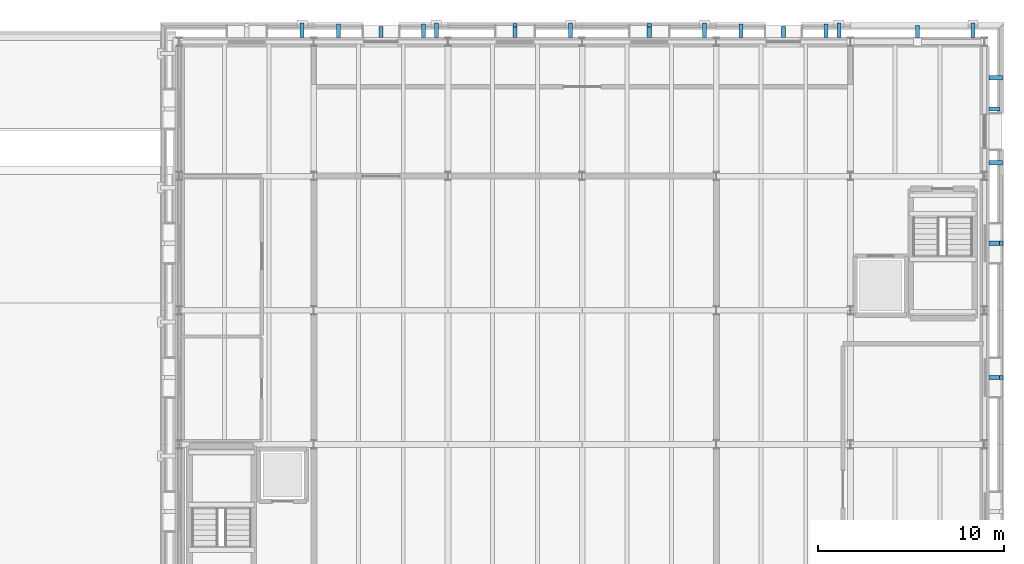
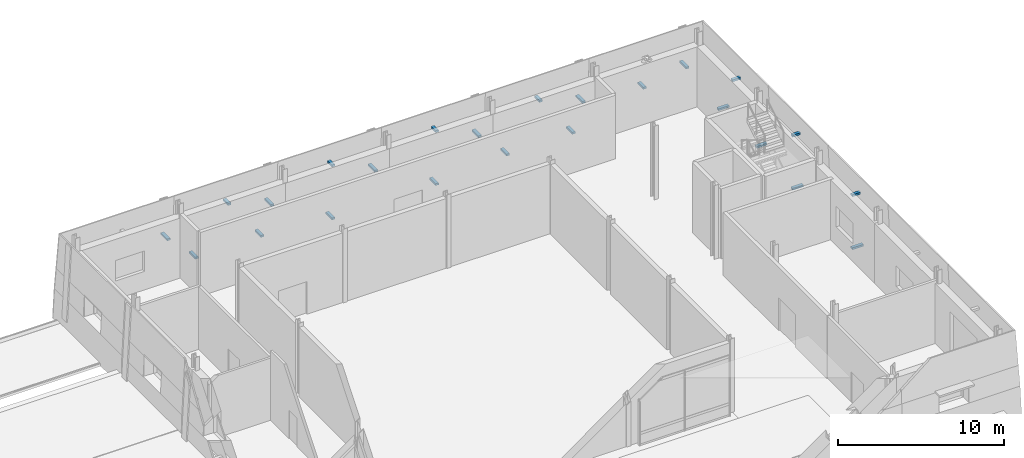
# One storey, part 97 of 120: 24 discrete accessories.
"""IFC4 building model written with IfcOpenShell, lengths in metres."""

import ifcopenshell
import ifcopenshell.guid

model = None  # the IFC model being written
_history = None  # IfcOwnerHistory: only IFC2X3 demands one
_inside = {}  # id of a spatial element -> (the spatial element, [elements in it])
_under = {}  # id of a project, library or spatial element -> (it, [spatial elements below it])
_declared = {}  # id of a project -> (the project, [libraries it declares])
_typed = {}  # id of a type object -> (the type object, [elements of that type])
_made_of = {}  # id of a material, layer set ... -> (it, [elements and type objects made of it])


def new_model(schema):
    """Start an empty IFC model of exactly this schema.

    Asked for "IFC4X3", IfcOpenShell would pick the latest addendum, in which some entities
    have other attributes; the version numbers below select the first issue.
    IFC2X3 requires an IfcOwnerHistory on every rooted entity: one is made here for all.
    """
    global model, _history
    if schema == "IFC4X3":
        model = ifcopenshell.file(schema_version=(4, 3, 0, 0))
    else:
        model = ifcopenshell.file(schema=schema)
    _inside.clear()
    _under.clear()
    _declared.clear()
    _typed.clear()
    _made_of.clear()
    _history = None
    if model.schema == "IFC2X3":
        org = make("IfcOrganization", Name="unknown")
        user = make(
            "IfcPersonAndOrganization",
            ThePerson=make("IfcPerson", FamilyName="unknown"),
            TheOrganization=org,
        )
        app = make(
            "IfcApplication",
            ApplicationDeveloper=org,
            Version="unknown",
            ApplicationFullName="unknown",
            ApplicationIdentifier="unknown",
        )
        _history = make(
            "IfcOwnerHistory",
            OwningUser=user,
            OwningApplication=app,
            ChangeAction="ADDED",
            CreationDate=0,
        )
    return model


def make(cls, **values):
    """One entity of the class cls with the attributes given. An attribute that is None is left unset."""
    return model.create_entity(
        cls, **{name: value for name, value in values.items() if value is not None}
    )


def rooted(cls, **values):
    """An entity with a GlobalId (a new one), such as an element, a storey or a relation."""
    return make(cls, GlobalId=ifcopenshell.guid.new(), OwnerHistory=_history, **values)


def si_unit(unit_type, name, prefix=None):
    """IfcSIUnit, for example si_unit("LENGTHUNIT", "METRE", prefix="MILLI")."""
    return make("IfcSIUnit", UnitType=unit_type, Prefix=prefix, Name=name)


def assignment(units):
    """IfcUnitAssignment: the units of a project."""
    return None if units is None else make("IfcUnitAssignment", Units=units)


def point(xyz):
    """IfcCartesianPoint."""
    return None if xyz is None else make("IfcCartesianPoint", Coordinates=xyz)


def direction(xyz):
    """IfcDirection."""
    return None if xyz is None else make("IfcDirection", DirectionRatios=xyz)


def frame(location, z_axis=None, x_axis=None):
    """IfcAxis2Placement3D, a coordinate frame: its origin and axes. An axis left out is left unset."""
    return make(
        "IfcAxis2Placement3D",
        Location=point(location),
        Axis=direction(z_axis),
        RefDirection=direction(x_axis),
    )


def frame_2d(location, x_axis=None):
    """IfcAxis2Placement2D, a coordinate frame in the plane: its origin and x axis."""
    return make(
        "IfcAxis2Placement2D", Location=point(location), RefDirection=direction(x_axis)
    )


def origin():
    """The frame at (0, 0, 0) with its axes left unset."""
    return frame((0.0, 0.0, 0.0))


def origin_2d():
    """The frame at (0, 0) in the plane with its x axis left unset."""
    return frame_2d((0.0, 0.0))


def place(relative_to, where):
    """IfcLocalPlacement: puts the frame where relative to a parent placement (None: the world)."""
    return make(
        "IfcLocalPlacement", PlacementRelTo=relative_to, RelativePlacement=where
    )


def context(
    kind, dimensions, precision=None, world=None, true_north=None, identifier=None
):
    """IfcGeometricRepresentationContext, for example the 3D "Model" context."""
    return make(
        "IfcGeometricRepresentationContext",
        ContextIdentifier=identifier,
        ContextType=kind,
        CoordinateSpaceDimension=dimensions,
        Precision=precision,
        WorldCoordinateSystem=world,
        TrueNorth=true_north,
    )


def subcontext(parent, identifier, kind, view, scale=None):
    """IfcGeometricRepresentationSubContext, for example "Body" below "Model"."""
    return make(
        "IfcGeometricRepresentationSubContext",
        ContextIdentifier=identifier,
        ContextType=kind,
        ParentContext=parent,
        TargetScale=scale,
        TargetView=view,
    )


def project(units=None, contexts=None):
    """IfcProject with its units and contexts."""
    return rooted(
        "IfcProject",
        Name="project",
        RepresentationContexts=contexts,
        UnitsInContext=assignment(units),
    )


def spatial(cls, under=None, at=None, **own):
    """A site, building, storey or space (cls), placed at a placement, below another one or the project."""
    s = rooted(cls, ObjectPlacement=at, **own)
    if under is not None:
        _under.setdefault(under.id(), (under, []))[1].append(s)
    return s


def profile(cls, at=None, kind="AREA", **sizes):
    """A parametric profile (cls). Its sizes go by their IFC names, for example OverallWidth=200.0."""
    return make(cls, ProfileType=kind, Position=at, **sizes)


def rectangle(**sizes):
    """IfcRectangleProfileDef."""
    return profile("IfcRectangleProfileDef", **sizes)


def extrude(swept, where, along, depth):
    """IfcExtrudedAreaSolid: the profile swept, set in the frame where, extruded along a direction by depth."""
    return make(
        "IfcExtrudedAreaSolid",
        SweptArea=swept,
        Position=where,
        ExtrudedDirection=direction(along),
        Depth=depth,
    )


def shape(context_of_items, identifier, shape_type, items):
    """IfcShapeRepresentation: the items that make up one representation, for example the "Body"."""
    return make(
        "IfcShapeRepresentation",
        ContextOfItems=context_of_items,
        RepresentationIdentifier=identifier,
        RepresentationType=shape_type,
        Items=items,
    )


def material(Name=None, Category=None):
    """IfcMaterial."""
    return make("IfcMaterial", Name=Name, Category=Category)


def layer(
    of_material, thickness, ventilated=None, Name=None, Category=None, Priority=None
):
    """IfcMaterialLayer: one layer of a wall or slab, of a material (None: an air gap)."""
    return make(
        "IfcMaterialLayer",
        Material=of_material,
        LayerThickness=thickness,
        IsVentilated=ventilated,
        Name=Name,
        Category=Category,
        Priority=Priority,
    )


def layer_set(layers, Name=None):
    """IfcMaterialLayerSet."""
    return make("IfcMaterialLayerSet", MaterialLayers=layers, LayerSetName=Name)


def made_of(thing, what):
    """Note that an element or type object is made of a material, layer set ...; save() writes the relation."""
    if what is not None:
        _made_of.setdefault(what.id(), (what, []))[1].append(thing)
    return thing


def type_object(cls, material=None, **own):
    """A type object (cls), such as IfcWallType, which elements share."""
    return made_of(rooted(cls, **own), material)


def element(
    cls,
    number,
    at=None,
    inside=None,
    cuts=None,
    type_object=None,
    material=None,
    context=None,
    identifier="Body",
    shape_type=None,
    held_by="IfcProductDefinitionShape",
    body=None,
    shapes=None,
    **own,
):
    """One element of the class cls, such as IfcWall. Its Tag is "e" and its number.

    at: its placement. inside: the storey or other place that contains it. cuts: it is an
    opening in that element (IfcRelVoidsElement). A single representation is given by context,
    identifier, shape_type and body (its items); several are given by shapes. held_by: the class
    of the entity that holds the representations. save() writes the other relations.
    """
    e = rooted(cls, Tag="e%d" % number, ObjectPlacement=at, **own)
    if body is not None:
        shapes = [shape(context, identifier, shape_type, body)]
    if shapes is not None:
        e.Representation = make(held_by, Representations=shapes)
    if inside is not None:
        _inside.setdefault(inside.id(), (inside, []))[1].append(e)
    if cuts is not None:
        rooted(
            "IfcRelVoidsElement", RelatingBuildingElement=cuts, RelatedOpeningElement=e
        )
    if type_object is not None:
        _typed.setdefault(type_object.id(), (type_object, []))[1].append(e)
    return made_of(e, material)


def aggregate(whole, parts):
    """IfcRelAggregates: a whole, such as a stair, and the parts it consists of."""
    return rooted("IfcRelAggregates", RelatingObject=whole, RelatedObjects=parts)


def save(model, path):
    """Write the relations noted so far, then the file.

    IfcRelAggregates (storeys below a building ...), IfcRelContainedInSpatialStructure (elements
    in a storey), IfcRelDefinesByType, IfcRelAssociatesMaterial and IfcRelDeclares: one each for
    every whole, place, type object, material and project.
    """
    for whole, parts in _under.values():
        aggregate(whole, parts)
    for where, things in _inside.values():
        rooted(
            "IfcRelContainedInSpatialStructure",
            RelatedElements=things,
            RelatingStructure=where,
        )
    for kind, things in _typed.values():
        rooted("IfcRelDefinesByType", RelatedObjects=things, RelatingType=kind)
    for what, things in _made_of.values():
        rooted("IfcRelAssociatesMaterial", RelatedObjects=things, RelatingMaterial=what)
    for by, libraries in _declared.values():
        rooted("IfcRelDeclares", RelatingContext=by, RelatedDefinitions=libraries)
    model.write(path)


model = new_model("IFC4")

# Units and contexts
model_context = context("Model", 3, precision=1e-05, world=origin(), true_north=direction((0.0, 1.0)))
body_context = subcontext(model_context, "Body", "Model", "MODEL_VIEW")
ifc_project = project(units=[si_unit("LENGTHUNIT", "METRE"), si_unit("AREAUNIT", "SQUARE_METRE"), si_unit("VOLUMEUNIT", "CUBIC_METRE"), si_unit("PLANEANGLEUNIT", "RADIAN"), si_unit("MASSUNIT", "GRAM", prefix="KILO")], contexts=[model_context])

# Site, building, storey
site_placement = place(None, origin())
site = spatial("IfcSite", under=ifc_project, at=site_placement, CompositionType="ELEMENT")
building_placement = place(site_placement, origin())
building = spatial("IfcBuilding", under=site, at=building_placement, Name="Narikvali Park Central Library", CompositionType="ELEMENT")
storey_placement = place(building_placement, origin())
storey = spatial("IfcBuildingStorey", under=building, at=storey_placement, Name="L00", CompositionType="ELEMENT", Elevation=0.0)

# Discrete accessories
ifc_material = material(Name="Brushed Stainless Steel S355", Category="steel")
ifc_layer = layer(ifc_material, 0.139892578125, Name="Brushed Stainless Steel S355")
ifc_layer_set = layer_set([ifc_layer], Name="Brushed Stainless Steel S355")
discrete_accessory_type = type_object("IfcDiscreteAccessoryType", Name="Cladding Stainless Tie-Back Corbel Bracket", PredefinedType="BRACKET", material=ifc_layer_set)
discrete_accessory_1_placement = place(storey_placement, frame((166.20751953125, 97.199951171875, 0.1650390625), z_axis=(0.0, 0.0, 1.0), x_axis=(1.0, 0.0, 0.0)))
element("IfcDiscreteAccessory", 1, at=discrete_accessory_1_placement, inside=storey, type_object=discrete_accessory_type, Name="Limestone Cladding Tie-Back Bracket V3-CLD-L00-E-B03-SP", PredefinedType="BRACKET", context=body_context, shape_type="SweptSolid", body=[
    extrude(rectangle(XDim=0.7548828125, YDim=0.219970703125, at=origin_2d()), origin(), (0.0, 0.0, 1.0), 0.139892578125),
])
discrete_accessory_2_placement = place(storey_placement, frame((166.117431640625, 97.199951171875, 4.05517578125), z_axis=(0.0, 0.0, 1.0), x_axis=(1.0, 0.0, 0.0)))
element("IfcDiscreteAccessory", 2, at=discrete_accessory_2_placement, inside=storey, type_object=discrete_accessory_type, Name="Limestone Cladding Tie-Back Bracket V3-CLD-L00-E-B03-LN", PredefinedType="BRACKET", context=body_context, shape_type="SweptSolid", body=[
    extrude(rectangle(XDim=0.5751953125, YDim=0.219970703125, at=origin_2d()), origin(), (0.0, 0.0, 1.0), 0.139892578125),
])
discrete_accessory_3_placement = place(storey_placement, frame((166.20751953125, 104.39990234375, 0.1650390625), z_axis=(0.0, 0.0, 1.0), x_axis=(1.0, 0.0, 0.0)))
element("IfcDiscreteAccessory", 3, at=discrete_accessory_3_placement, inside=storey, type_object=discrete_accessory_type, Name="Limestone Cladding Tie-Back Bracket V3-CLD-L00-E-B04-SP", PredefinedType="BRACKET", context=body_context, shape_type="SweptSolid", body=[
    extrude(rectangle(XDim=0.7548828125, YDim=0.219970703125, at=origin_2d()), origin(), (0.0, 0.0, 1.0), 0.139892578125),
])
discrete_accessory_4_placement = place(storey_placement, frame((166.117431640625, 104.39990234375, 4.05517578125), z_axis=(0.0, 0.0, 1.0), x_axis=(1.0, 0.0, 0.0)))
element("IfcDiscreteAccessory", 4, at=discrete_accessory_4_placement, inside=storey, type_object=discrete_accessory_type, Name="Limestone Cladding Tie-Back Bracket V3-CLD-L00-E-B04-LN", PredefinedType="BRACKET", context=body_context, shape_type="SweptSolid", body=[
    extrude(rectangle(XDim=0.5751953125, YDim=0.219970703125, at=origin_2d()), origin(), (0.0, 0.0, 1.0), 0.139892578125),
])
for number, where, z_axis, x_axis, name in (
    (5, (166.19580078125, 108.719970703125, 0.60986328125), (0.0, 0.0, 1.0), (1.0, 0.0, 0.0), "Limestone Cladding Tie-Back Bracket V3-CLD-L00-E-B05-DL"),
    (6, (166.19580078125, 113.280029296875, 0.60986328125), (0.0, 0.0, 1.0), (1.0, 0.0, 0.0), "Limestone Cladding Tie-Back Bracket V3-CLD-L00-E-B05-DR"),
):
    element("IfcDiscreteAccessory", number, at=place(storey_placement, frame(where, z_axis=z_axis, x_axis=x_axis)), inside=storey, type_object=discrete_accessory_type, Name=name, PredefinedType="BRACKET", context=body_context, shape_type="SweptSolid", body=[
        extrude(rectangle(XDim=0.731689453125, YDim=0.219970703125, at=origin_2d()), origin(), (0.0, 0.0, 1.0), 0.139892578125),
    ])
discrete_accessory_5_placement = place(storey_placement, frame((166.12548828125, 111.60009765625, 3.75), z_axis=(0.0, 0.0, 1.0), x_axis=(1.0, 0.0, 0.0)))
element("IfcDiscreteAccessory", 7, at=discrete_accessory_5_placement, inside=storey, type_object=discrete_accessory_type, Name="Limestone Cladding Tie-Back Bracket V3-CLD-L00-E-B05-DH", PredefinedType="BRACKET", context=body_context, shape_type="SweptSolid", body=[
    extrude(rectangle(XDim=0.591064453125, YDim=0.219970703125, at=origin_2d()), origin(), (0.0, 0.0, 1.0), 0.139892578125),
])
discrete_accessory_6_placement = place(storey_placement, frame((164.97509765625, 115.82470703125, 2.6298828125), z_axis=(0.0, 0.0, 1.0), x_axis=(1.0, 0.0, 0.0)))
element("IfcDiscreteAccessory", 8, at=discrete_accessory_6_placement, inside=storey, type_object=discrete_accessory_type, Name="Limestone Cladding Tie-Back Bracket V3-PIL-L00-N-B01", PredefinedType="BRACKET", context=body_context, shape_type="SweptSolid", body=[
    extrude(rectangle(XDim=0.219970703125, YDim=0.789306640625, at=origin_2d()), origin(), (0.0, 0.0, 1.0), 0.139892578125),
])
discrete_accessory_7_placement = place(storey_placement, frame((162.0, 115.754638671875, 2.18994140625), z_axis=(0.0, 0.0, 1.0), x_axis=(1.0, 0.0, 0.0)))
element("IfcDiscreteAccessory", 9, at=discrete_accessory_7_placement, inside=storey, type_object=discrete_accessory_type, Name="Limestone Cladding Tie-Back Bracket V3-CLD-L00-N-B01-FULL", PredefinedType="BRACKET", context=body_context, shape_type="SweptSolid", body=[
    extrude(rectangle(XDim=0.219970703125, YDim=0.6494140625, at=origin_2d()), origin(), (0.0, 0.0, 1.0), 0.139892578125),
])
discrete_accessory_8_placement = place(storey_placement, frame((157.77490234375, 115.82470703125, 2.6298828125), z_axis=(0.0, 0.0, 1.0), x_axis=(1.0, 0.0, 0.0)))
element("IfcDiscreteAccessory", 10, at=discrete_accessory_8_placement, inside=storey, type_object=discrete_accessory_type, Name="Limestone Cladding Tie-Back Bracket V3-PIL-L00-N-B02", PredefinedType="BRACKET", context=body_context, shape_type="SweptSolid", body=[
    extrude(rectangle(XDim=0.219970703125, YDim=0.789306640625, at=origin_2d()), origin(), (0.0, 0.0, 1.0), 0.139892578125),
])
for number, where, z_axis, x_axis, name in (
    (11, (157.080078125, 115.7958984375, 0.60986328125), (0.0, 0.0, 1.0), (1.0, 0.0, 0.0), "Limestone Cladding Tie-Back Bracket V3-CLD-L00-N-B02-DL"),
    (12, (152.52001953125, 115.7958984375, 0.60986328125), (0.0, 0.0, 1.0), (1.0, 0.0, 0.0), "Limestone Cladding Tie-Back Bracket V3-CLD-L00-N-B02-DR"),
):
    element("IfcDiscreteAccessory", number, at=place(storey_placement, frame(where, z_axis=z_axis, x_axis=x_axis)), inside=storey, type_object=discrete_accessory_type, Name=name, PredefinedType="BRACKET", context=body_context, shape_type="SweptSolid", body=[
        extrude(rectangle(XDim=0.219970703125, YDim=0.731689453125, at=origin_2d()), origin(), (0.0, 0.0, 1.0), 0.139892578125),
    ])
discrete_accessory_9_placement = place(storey_placement, frame((154.800048828125, 115.7255859375, 3.75), z_axis=(0.0, 0.0, 1.0), x_axis=(1.0, 0.0, 0.0)))
element("IfcDiscreteAccessory", 13, at=discrete_accessory_9_placement, inside=storey, type_object=discrete_accessory_type, Name="Limestone Cladding Tie-Back Bracket V3-CLD-L00-N-B02-DH", PredefinedType="BRACKET", context=body_context, shape_type="SweptSolid", body=[
    extrude(rectangle(XDim=0.219970703125, YDim=0.591064453125, at=origin_2d()), origin(), (0.0, 0.0, 1.0), 0.139892578125),
])
discrete_accessory_10_placement = place(storey_placement, frame((150.574951171875, 115.82470703125, 2.6298828125), z_axis=(0.0, 0.0, 1.0), x_axis=(1.0, 0.0, 0.0)))
element("IfcDiscreteAccessory", 14, at=discrete_accessory_10_placement, inside=storey, type_object=discrete_accessory_type, Name="Limestone Cladding Tie-Back Bracket V3-PIL-L00-N-B03", PredefinedType="BRACKET", context=body_context, shape_type="SweptSolid", body=[
    extrude(rectangle(XDim=0.219970703125, YDim=0.789306640625, at=origin_2d()), origin(), (0.0, 0.0, 1.0), 0.139892578125),
])
discrete_accessory_11_placement = place(storey_placement, frame((147.60009765625, 115.807373046875, 0.1650390625), z_axis=(0.0, 0.0, 1.0), x_axis=(1.0, 0.0, 0.0)))
element("IfcDiscreteAccessory", 15, at=discrete_accessory_11_placement, inside=storey, type_object=discrete_accessory_type, Name="Limestone Cladding Tie-Back Bracket V3-CLD-L00-N-B03-SP", PredefinedType="BRACKET", context=body_context, shape_type="SweptSolid", body=[
    extrude(rectangle(XDim=0.219970703125, YDim=0.7548828125, at=origin_2d()), origin(), (0.0, 0.0, 1.0), 0.139892578125),
])
discrete_accessory_12_placement = place(storey_placement, frame((147.60009765625, 115.717529296875, 4.05517578125), z_axis=(0.0, 0.0, 1.0), x_axis=(1.0, 0.0, 0.0)))
element("IfcDiscreteAccessory", 16, at=discrete_accessory_12_placement, inside=storey, type_object=discrete_accessory_type, Name="Limestone Cladding Tie-Back Bracket V3-CLD-L00-N-B03-LN", PredefinedType="BRACKET", context=body_context, shape_type="SweptSolid", body=[
    extrude(rectangle(XDim=0.219970703125, YDim=0.5751953125, at=origin_2d()), origin(), (0.0, 0.0, 1.0), 0.139892578125),
])
discrete_accessory_13_placement = place(storey_placement, frame((143.375, 115.82470703125, 2.6298828125), z_axis=(0.0, 0.0, 1.0), x_axis=(1.0, 0.0, 0.0)))
element("IfcDiscreteAccessory", 17, at=discrete_accessory_13_placement, inside=storey, type_object=discrete_accessory_type, Name="Limestone Cladding Tie-Back Bracket V3-PIL-L00-N-B04", PredefinedType="BRACKET", context=body_context, shape_type="SweptSolid", body=[
    extrude(rectangle(XDim=0.219970703125, YDim=0.789306640625, at=origin_2d()), origin(), (0.0, 0.0, 1.0), 0.139892578125),
])
discrete_accessory_14_placement = place(storey_placement, frame((140.39990234375, 115.807373046875, 0.1650390625), z_axis=(0.0, 0.0, 1.0), x_axis=(1.0, 0.0, 0.0)))
element("IfcDiscreteAccessory", 18, at=discrete_accessory_14_placement, inside=storey, type_object=discrete_accessory_type, Name="Limestone Cladding Tie-Back Bracket V3-CLD-L00-N-B04-SP", PredefinedType="BRACKET", context=body_context, shape_type="SweptSolid", body=[
    extrude(rectangle(XDim=0.219970703125, YDim=0.7548828125, at=origin_2d()), origin(), (0.0, 0.0, 1.0), 0.139892578125),
])
discrete_accessory_15_placement = place(storey_placement, frame((140.39990234375, 115.717529296875, 4.05517578125), z_axis=(0.0, 0.0, 1.0), x_axis=(1.0, 0.0, 0.0)))
element("IfcDiscreteAccessory", 19, at=discrete_accessory_15_placement, inside=storey, type_object=discrete_accessory_type, Name="Limestone Cladding Tie-Back Bracket V3-CLD-L00-N-B04-LN", PredefinedType="BRACKET", context=body_context, shape_type="SweptSolid", body=[
    extrude(rectangle(XDim=0.219970703125, YDim=0.5751953125, at=origin_2d()), origin(), (0.0, 0.0, 1.0), 0.139892578125),
])
discrete_accessory_16_placement = place(storey_placement, frame((136.175048828125, 115.82470703125, 2.6298828125), z_axis=(0.0, 0.0, 1.0), x_axis=(1.0, 0.0, 0.0)))
element("IfcDiscreteAccessory", 20, at=discrete_accessory_16_placement, inside=storey, type_object=discrete_accessory_type, Name="Limestone Cladding Tie-Back Bracket V3-PIL-L00-N-B05", PredefinedType="BRACKET", context=body_context, shape_type="SweptSolid", body=[
    extrude(rectangle(XDim=0.219970703125, YDim=0.789306640625, at=origin_2d()), origin(), (0.0, 0.0, 1.0), 0.139892578125),
])
for number, where, z_axis, x_axis, name in (
    (21, (135.47998046875, 115.7958984375, 0.60986328125), (0.0, 0.0, 1.0), (1.0, 0.0, 0.0), "Limestone Cladding Tie-Back Bracket V3-CLD-L00-N-B05-DL"),
    (22, (130.919921875, 115.7958984375, 0.60986328125), (0.0, 0.0, 1.0), (1.0, 0.0, 0.0), "Limestone Cladding Tie-Back Bracket V3-CLD-L00-N-B05-DR"),
):
    element("IfcDiscreteAccessory", number, at=place(storey_placement, frame(where, z_axis=z_axis, x_axis=x_axis)), inside=storey, type_object=discrete_accessory_type, Name=name, PredefinedType="BRACKET", context=body_context, shape_type="SweptSolid", body=[
        extrude(rectangle(XDim=0.219970703125, YDim=0.731689453125, at=origin_2d()), origin(), (0.0, 0.0, 1.0), 0.139892578125),
    ])
discrete_accessory_17_placement = place(storey_placement, frame((133.199951171875, 115.7255859375, 3.75), z_axis=(0.0, 0.0, 1.0), x_axis=(1.0, 0.0, 0.0)))
element("IfcDiscreteAccessory", 23, at=discrete_accessory_17_placement, inside=storey, type_object=discrete_accessory_type, Name="Limestone Cladding Tie-Back Bracket V3-CLD-L00-N-B05-DH", PredefinedType="BRACKET", context=body_context, shape_type="SweptSolid", body=[
    extrude(rectangle(XDim=0.219970703125, YDim=0.591064453125, at=origin_2d()), origin(), (0.0, 0.0, 1.0), 0.139892578125),
])
discrete_accessory_18_placement = place(storey_placement, frame((128.97509765625, 115.82470703125, 2.6298828125), z_axis=(0.0, 0.0, 1.0), x_axis=(1.0, 0.0, 0.0)))
element("IfcDiscreteAccessory", 24, at=discrete_accessory_18_placement, inside=storey, type_object=discrete_accessory_type, Name="Limestone Cladding Tie-Back Bracket V3-PIL-L00-N-B06", PredefinedType="BRACKET", context=body_context, shape_type="SweptSolid", body=[
    extrude(rectangle(XDim=0.219970703125, YDim=0.789306640625, at=origin_2d()), origin(), (0.0, 0.0, 1.0), 0.139892578125),
])

save(model, "model.ifc")
